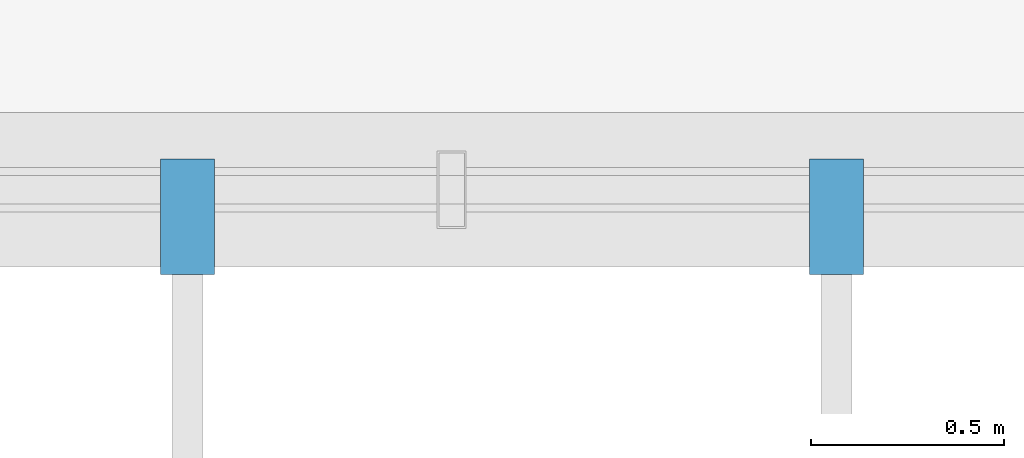
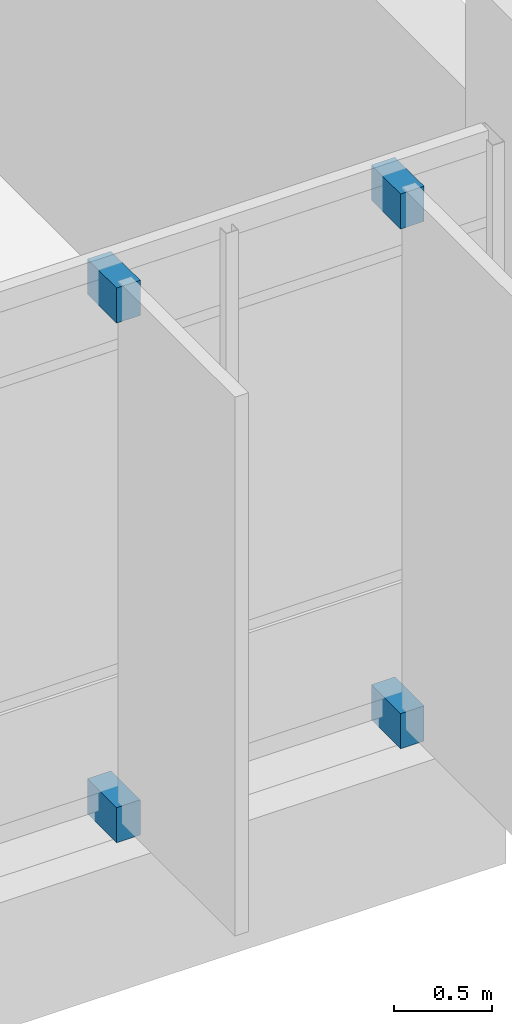
# One storey, part 102 of 107: 4 discrete accessories.
"""IFC4 building model written with IfcOpenShell, lengths in metres."""

from ifc_helpers import new_model, si_unit, direction, frame, origin, origin_2d, place, context, subcontext, project, spatial, rectangle, extrude, material, type_object, element, save


model = new_model("IFC4")

# Units and contexts
model_context = context("Model", 3, precision=1e-05, world=origin(), true_north=direction((0.0, 1.0)))
body_context = subcontext(model_context, "Body", "Model", "MODEL_VIEW")
ifc_project = project(units=[si_unit("LENGTHUNIT", "METRE"), si_unit("AREAUNIT", "SQUARE_METRE"), si_unit("VOLUMEUNIT", "CUBIC_METRE"), si_unit("PLANEANGLEUNIT", "RADIAN"), si_unit("MASSUNIT", "GRAM", prefix="KILO")], contexts=[model_context])

# Site, building, storey
site_placement = place(None, origin())
site = spatial("IfcSite", under=ifc_project, at=site_placement, CompositionType="ELEMENT")
building_placement = place(site_placement, origin())
building = spatial("IfcBuilding", under=site, at=building_placement, Name="Vireocrest Preparatory School", CompositionType="ELEMENT")
storey_placement = place(building_placement, frame((0.0, 0.0, 13.199951171875)))
storey = spatial("IfcBuildingStorey", under=building, at=storey_placement, Name="L03", CompositionType="ELEMENT", Elevation=13.199951171875)

# Discrete accessories
ifc_material = material(Name="Structural steel ASTM A572 Grade 50", Category="steel")
discrete_accessory_type = type_object("IfcDiscreteAccessoryType", Name="Slab-Edge Steel Outrigger Fin Bracket", PredefinedType="BRACKET", material=ifc_material)
for number, where, z_axis, x_axis, name in (
    (1, (115.080078125, 94.72998046875, -0.08984375), (0.0, 0.0, 1.0), (-1.0, 0.0, 0.0), "Solar Fin Outrigger Bracket BK1 L03-41-4-BOT"),
    (2, (115.080078125, 94.72998046875, 3.16015625), (0.0, 0.0, 1.0), (-1.0, 0.0, 0.0), "Solar Fin Outrigger Bracket BK1 L03-41-4-TOP"),
    (3, (116.760009765625, 94.72998046875, -0.08984375), (0.0, 0.0, 1.0), (-1.0, 0.0, 0.0), "Solar Fin Outrigger Bracket BK1 L03-41-5-BOT"),
    (4, (116.760009765625, 94.72998046875, 3.16015625), (0.0, 0.0, 1.0), (-1.0, 0.0, 0.0), "Solar Fin Outrigger Bracket BK1 L03-41-5-TOP"),
):
    element("IfcDiscreteAccessory", number, at=place(storey_placement, frame(where, z_axis=z_axis, x_axis=x_axis)), inside=storey, type_object=discrete_accessory_type, Name=name, PredefinedType="BRACKET", context=body_context, shape_type="SweptSolid", body=[
        extrude(rectangle(XDim=0.139892578125, YDim=0.300048828125, at=origin_2d()), origin(), (0.0, 0.0, 1.0), 0.219970703125),
    ])

save(model, "model.ifc")
